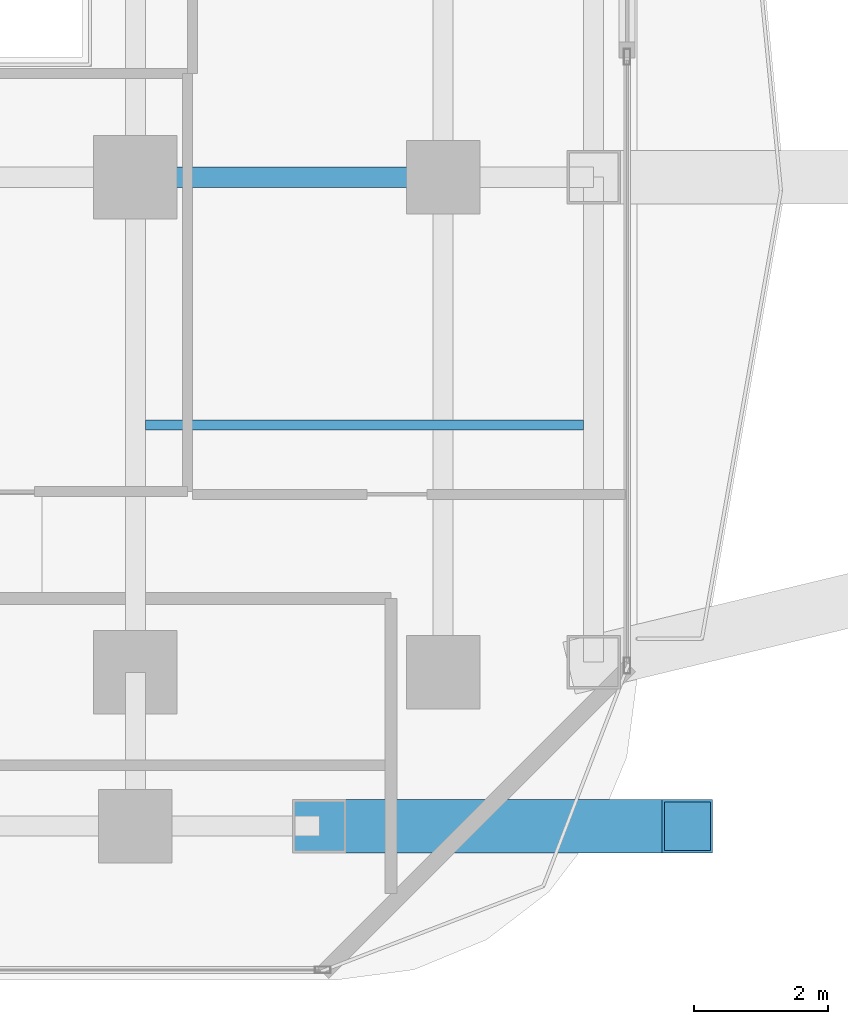
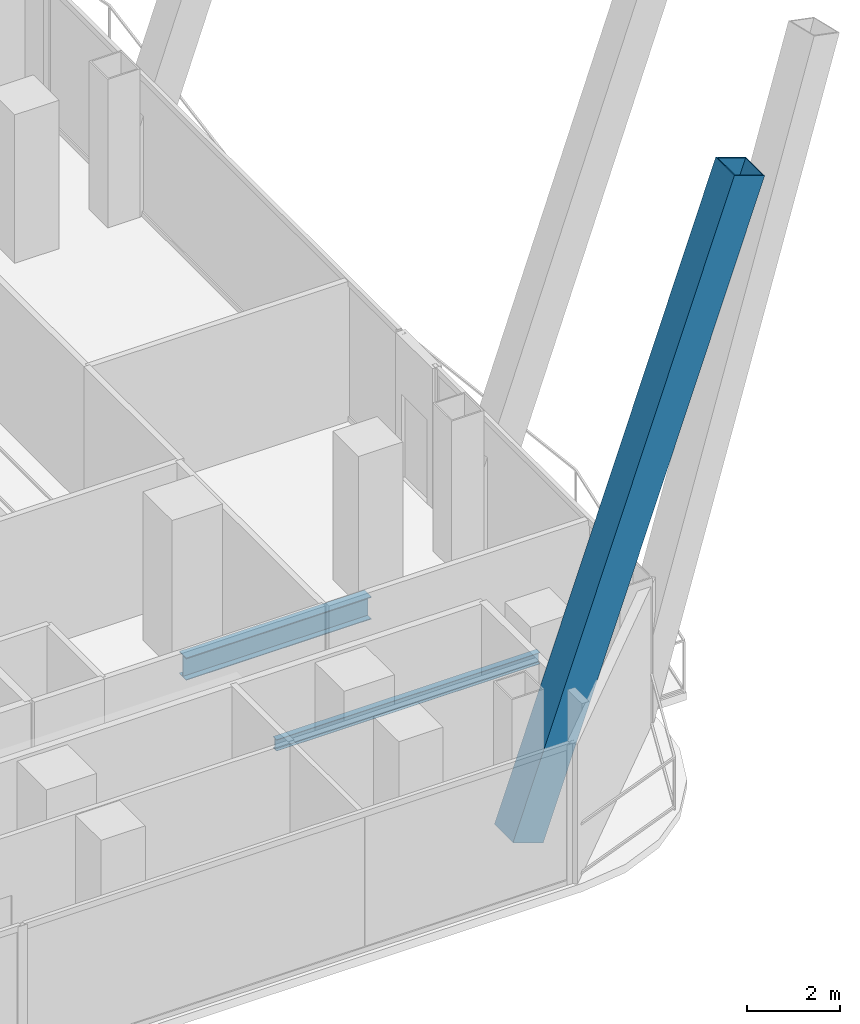
# One storey, part 10 of 32: 2 beams, 1 member.
"""IFC4 building model written with IfcOpenShell, lengths in metres."""

from ifc_helpers import new_model, si_unit, direction, frame, origin, origin_2d, place, context, subcontext, project, spatial, hollow_rectangle, i_section, extrude, material, material_profile, profile_set, type_object, element, save


model = new_model("IFC4")

# Units and contexts
model_context = context("Model", 3, precision=1e-05, world=origin(), true_north=direction((0.0, 1.0)))
body_context = subcontext(model_context, "Body", "Model", "MODEL_VIEW")
ifc_project = project(units=[si_unit("LENGTHUNIT", "METRE"), si_unit("AREAUNIT", "SQUARE_METRE"), si_unit("VOLUMEUNIT", "CUBIC_METRE"), si_unit("PLANEANGLEUNIT", "RADIAN"), si_unit("MASSUNIT", "GRAM", prefix="KILO")], contexts=[model_context])

# Site, building, storey
site_placement = place(None, origin())
site = spatial("IfcSite", under=ifc_project, at=site_placement, CompositionType="ELEMENT")
building_placement = place(site_placement, origin())
building = spatial("IfcBuilding", under=site, at=building_placement, Name="Khorvyn Point Tower", CompositionType="ELEMENT")
storey_placement = place(building_placement, frame((0.0, 0.0, 93.0)))
storey = spatial("IfcBuildingStorey", under=building, at=storey_placement, Name="L23", CompositionType="ELEMENT", Elevation=93.0)

# Beams
ifc_material_1 = material(Name="Steel S355", Category="steel")
ifc_material_profile_1 = material_profile(ifc_material_1, i_section(OverallWidth=0.300048828125, OverallDepth=0.587890625, WebThickness=0.011962890625, FlangeThickness=0.02001953125, at=origin_2d()))
ifc_profile_set_1 = profile_set([ifc_material_profile_1], Name="Steel S355 H588x300x12x20")
beam_type_1 = type_object("IfcBeamType", Name="Steel S355 Beam H588x300x12x20", PredefinedType="BEAM", material=ifc_profile_set_1)
beam_1_placement = place(storey_placement, frame((14.800048828125, -7.39990234375, -0.513916015625), z_axis=(1.0, 0.0, 0.0), x_axis=(0.0, 1.0, 0.0)))
element("IfcBeam", 1, at=beam_1_placement, inside=storey, type_object=beam_type_1, Name="Beam", PredefinedType="BEAM", context=body_context, shape_type="SweptSolid", body=[
    extrude(i_section(OverallWidth=0.300048828125, OverallDepth=0.587890625, WebThickness=0.011962890625, FlangeThickness=0.02001953125, at=origin_2d()), origin(), (0.0, 0.0, 1.0), 4.599853515625),
])
ifc_material_profile_2 = material_profile(ifc_material_1, i_section(OverallWidth=0.14990234375, OverallDepth=0.300048828125, WebThickness=0.006591796875, FlangeThickness=0.009033203125, at=origin_2d()))
ifc_profile_set_2 = profile_set([ifc_material_profile_2], Name="Steel S355 H300x150x6.5x9")
beam_type_2 = type_object("IfcBeamType", Name="Steel S355 Joist H300x150x6.5x9", PredefinedType="JOIST", material=ifc_profile_set_2)
beam_2_placement = place(storey_placement, frame((14.949951171875, -11.10009765625, -0.3701171875), z_axis=(1.0, 0.0, 0.0), x_axis=(0.0, 1.0, 0.0)))
element("IfcBeam", 2, at=beam_2_placement, inside=storey, type_object=beam_type_2, Name="Beam", PredefinedType="JOIST", context=body_context, shape_type="SweptSolid", body=[
    extrude(i_section(OverallWidth=0.14990234375, OverallDepth=0.300048828125, WebThickness=0.006591796875, FlangeThickness=0.009033203125, at=origin_2d()), origin(), (0.0, 0.0, 1.0), 6.550048828125),
])

# Member
ifc_material_2 = material(Name="Steel S450", Category="steel")
ifc_material_profile_3 = material_profile(ifc_material_2, hollow_rectangle(XDim=0.800048828125, YDim=0.800048828125, WallThickness=0.035888671875, at=origin_2d()))
ifc_profile_set_3 = profile_set([ifc_material_profile_3], Name="Steel S450 BOX800x800x36")
member_type = type_object("IfcMemberType", Name="Steel S450 Exoskeleton Structural Post BOX800x800x36", PredefinedType="POST", material=ifc_profile_set_3)
member_placement = place(storey_placement, frame((17.550048828125, -17.10009765625, 0.0), z_axis=(0.332502020219, 0.0, 0.943102542967), x_axis=(0.0, 1.0, 0.0)))
element("IfcMember", 3, at=member_placement, inside=storey, type_object=member_type, Name="L23 to L27 Exoskeleton Transfer Post 01", PredefinedType="POST", context=body_context, shape_type="SweptSolid", body=[
    extrude(hollow_rectangle(XDim=0.800048828125, YDim=0.800048828125, WallThickness=0.035888671875, at=origin_2d()), origin(), (0.0, 0.0, 1.0), 16.541259765625),
])

save(model, "model.ifc")
